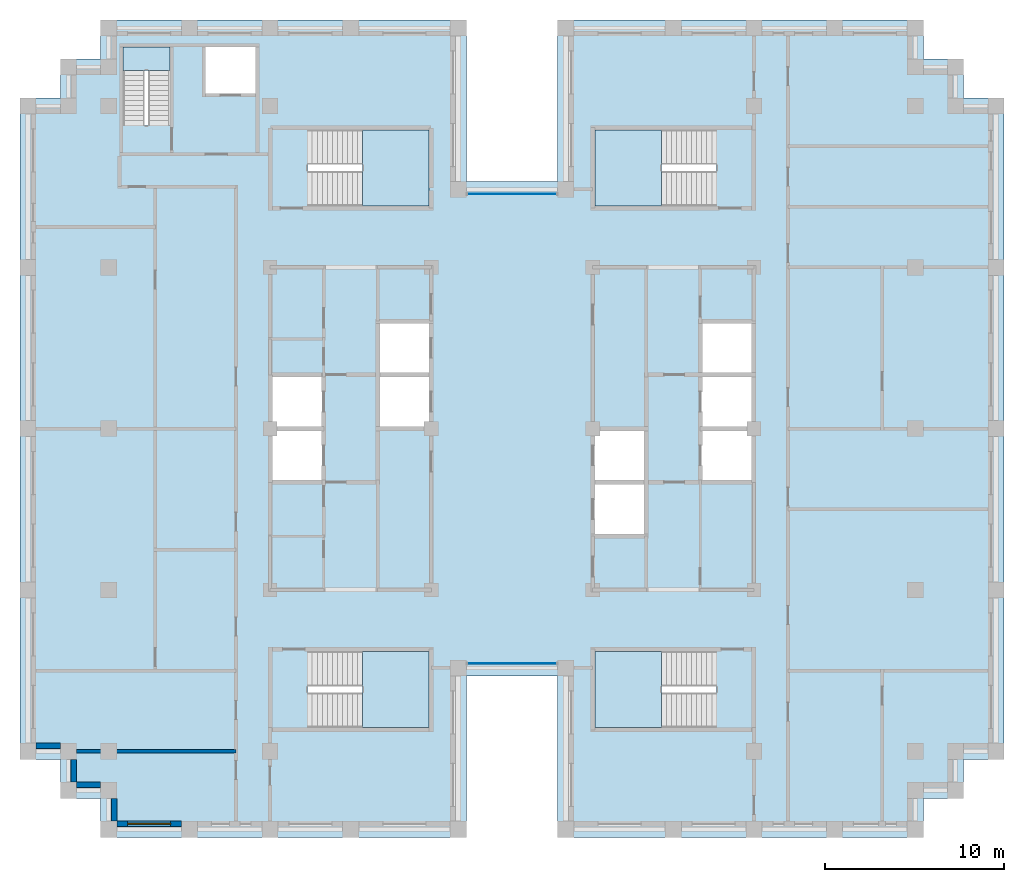
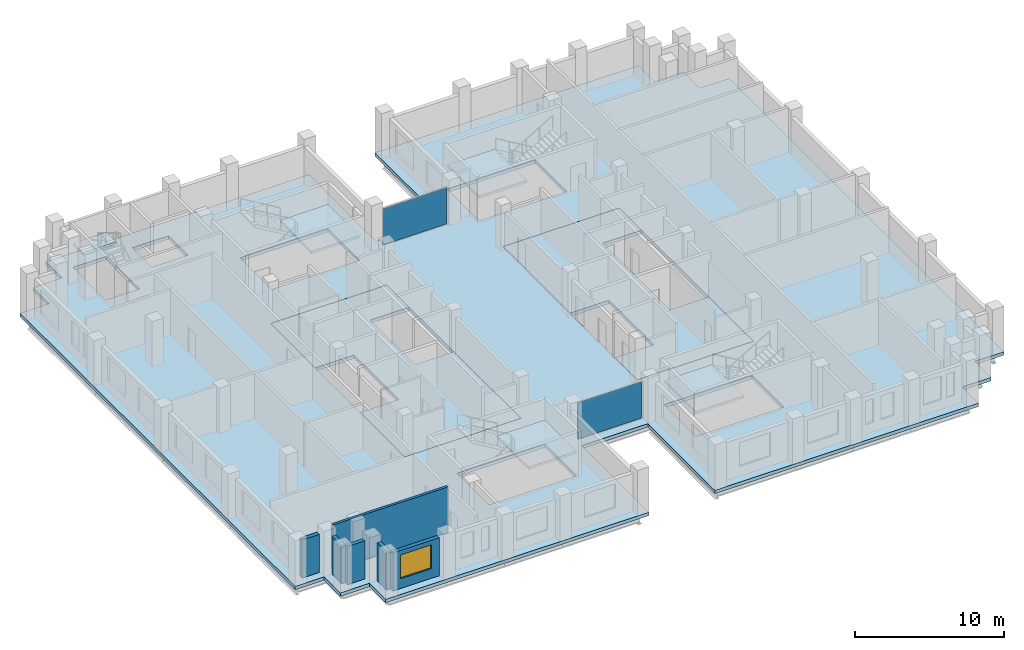
# One storey, part 5 of 13: 8 slabs, 6 walls, 2 plates, 1 window, 1 opening, 7 elements without a shape of their own.
"""IFC4 building model written with IfcOpenShell, lengths in metres."""

from ifc_helpers import new_model, si_unit, direction, frame, frame_2d, origin, origin_2d, place, context, subcontext, project, spatial, polyline, rectangle, outline, extrude, material, layer, layer_set, type_object, element, fill, aggregate, save


model = new_model("IFC4")

# Units and contexts
model_context = context("Model", 3, precision=1e-05, world=origin(), true_north=direction((0.0, 1.0)))
body_context = subcontext(model_context, "Body", "Model", "MODEL_VIEW")
ifc_project = project(units=[si_unit("LENGTHUNIT", "METRE"), si_unit("AREAUNIT", "SQUARE_METRE"), si_unit("VOLUMEUNIT", "CUBIC_METRE"), si_unit("PLANEANGLEUNIT", "RADIAN"), si_unit("MASSUNIT", "GRAM", prefix="KILO")], contexts=[model_context])

# Site, building, storey
site_placement = place(None, origin())
site = spatial("IfcSite", under=ifc_project, at=site_placement, CompositionType="ELEMENT")
building_placement = place(site_placement, origin())
building = spatial("IfcBuilding", under=site, at=building_placement, Name="Corbelhall Arena Tower", CompositionType="ELEMENT")
storey_placement = place(building_placement, frame((0.0, 0.0, 254.0)))
storey = spatial("IfcBuildingStorey", under=building, at=storey_placement, Name="L54", CompositionType="ELEMENT", Elevation=254.0)

# Curtain wall, plate
ifc_material_1 = material(Name="Aluminium black anodised", Category="aluminium")
ifc_layer_1 = layer(ifc_material_1, 0.199951171875)
ifc_layer_set_1 = layer_set([ifc_layer_1], Name="EV-CW1 Slot back wall")
curtain_wall_type = type_object("IfcCurtainWallType", Name="EV-CW1 Slot back wall", PredefinedType="NOTDEFINED", material=ifc_layer_set_1)
curtain_wall_1_placement = place(storey_placement, origin())
curtain_wall_1 = element("IfcCurtainWall", 1, at=curtain_wall_1_placement, inside=storey, type_object=curtain_wall_type, Name="Curtain wall CW1", PredefinedType="NOTDEFINED")
ifc_material_2 = material(Name="Glass dark tinted laminated", Category="glass")
ifc_layer_2 = layer(ifc_material_2, 0.028076171875)
ifc_layer_set_2 = layer_set([ifc_layer_2], Name="EV-CW1-PANEL")
plate_type = type_object("IfcPlateType", Name="EV-CW1-PANEL", PredefinedType="CURTAIN_PANEL", material=ifc_layer_set_2)
plate_1_placement = place(storey_placement, frame((0.0, -13.10009765625, 0.0751953125), z_axis=(0.0, 0.0, 1.0), x_axis=(1.0, 0.0, 0.0)))
plate_1 = element("IfcPlate", 2, at=plate_1_placement, type_object=plate_type, Name="CW1 panel 1.1", PredefinedType="CURTAIN_PANEL", context=body_context, shape_type="SweptSolid", body=[
    extrude(rectangle(XDim=4.949951171875, YDim=0.028076171875, at=origin_2d()), origin(), (0.0, 0.0, 1.0), 2.969970703125),
])
aggregate(curtain_wall_1, [plate_1])

curtain_wall_2_placement = place(storey_placement, origin())
curtain_wall_2 = element("IfcCurtainWall", 3, at=curtain_wall_2_placement, inside=storey, type_object=curtain_wall_type, Name="Curtain wall CW1", PredefinedType="NOTDEFINED")
plate_2_placement = place(storey_placement, frame((0.0, 13.10009765625, 0.0751953125), z_axis=(0.0, 0.0, 1.0), x_axis=(-1.0, 0.0, 0.0)))
plate_2 = element("IfcPlate", 4, at=plate_2_placement, type_object=plate_type, Name="CW1 panel 1.1", PredefinedType="CURTAIN_PANEL", context=body_context, shape_type="SweptSolid", body=[
    extrude(rectangle(XDim=4.949951171875, YDim=0.028076171875, at=origin_2d()), origin(), (0.0, 0.0, 1.0), 2.969970703125),
])
aggregate(curtain_wall_2, [plate_2])

# Slabs
ifc_material_3 = material(Name="Concrete C40/50", Category="concrete")
ifc_layer_3 = layer(ifc_material_3, 0.300048828125)
ifc_layer_set_3 = layer_set([ifc_layer_3], Name="IN-SL-CORE")
slab_type_1 = type_object("IfcSlabType", Name="IN-SL-CORE", PredefinedType="FLOOR", material=ifc_layer_set_3)
slab_1_placement = place(storey_placement, frame((0.0, 0.0, -0.280029296875)))
element("IfcSlab", 5, at=slab_1_placement, inside=storey, type_object=slab_type_1, Name="Core floor W", PredefinedType="FLOOR", context=body_context, shape_type="SweptSolid", body=[
    extrude(outline(polyline([(-10.5, -3.0), (-13.5, -3.0), (-13.5, -9.0), (-4.5, -9.0), (-4.5, 0.0), (-7.5, 0.0), (-7.5, 3.0), (-7.5, 6.0), (-4.5, 6.0), (-4.5, 9.0), (-13.5, 9.0), (-13.5, 3.0), (-10.5, 3.0), (-10.5, 0.0), (-10.5, -3.0)])), origin(), (0.0, 0.0, 1.0), 0.280029296875),
])
slab_2_placement = place(storey_placement, frame((0.0, 0.0, -0.280029296875)))
element("IfcSlab", 6, at=slab_2_placement, inside=storey, type_object=slab_type_1, Name="Core floor E", PredefinedType="FLOOR", context=body_context, shape_type="SweptSolid", body=[
    extrude(outline(polyline([(13.5, -3.0), (10.5, -3.0), (10.5, 0.0), (10.5, 3.0), (10.5, 6.0), (13.5, 6.0), (13.5, 9.0), (4.5, 9.0), (4.5, 0.0), (7.5, 0.0), (7.5, -3.0), (7.5, -6.0), (4.5, -6.0), (4.5, -9.0), (13.5, -9.0), (13.5, -3.0)])), origin(), (0.0, 0.0, 1.0), 0.280029296875),
])

# Stair, slab
stair_type = type_object("IfcStairType", Name="IN-ST-TOWER", PredefinedType="HALF_TURN_STAIR", material=ifc_material_3)
stair_1_placement = place(storey_placement, origin())
stair_1 = element("IfcStair", 7, at=stair_1_placement, inside=storey, type_object=stair_type, Name="L54 Exit stair ST1", PredefinedType="HALF_TURN_STAIR")
ifc_layer_4 = layer(ifc_material_3, 0.199951171875)
ifc_layer_set_4 = layer_set([ifc_layer_4], Name="IN-SL-LANDING")
slab_type_2 = type_object("IfcSlabType", Name="IN-SL-LANDING", PredefinedType="LANDING", material=ifc_layer_set_4)
slab_3_placement = place(storey_placement, frame((0.0, 0.0, 1.800048828125)))
slab_3 = element("IfcSlab", 8, at=slab_3_placement, type_object=slab_type_2, Name="ST1 landing 1", PredefinedType="LANDING", context=body_context, shape_type="SweptSolid", body=[
    extrude(outline(polyline([(-8.344970703125, 12.425048828125), (-4.625, 12.425048828125), (-4.625, 16.675048828125), (-8.344970703125, 16.675048828125), (-8.344970703125, 12.425048828125)])), origin(), (0.0, 0.0, 1.0), 0.199951171875),
])
aggregate(stair_1, [slab_3])

stair_2_placement = place(storey_placement, origin())
stair_2 = element("IfcStair", 9, at=stair_2_placement, inside=storey, type_object=stair_type, Name="L54 Exit stair ST2", PredefinedType="HALF_TURN_STAIR")
slab_4_placement = place(storey_placement, frame((0.0, 0.0, 1.800048828125)))
slab_4 = element("IfcSlab", 10, at=slab_4_placement, type_object=slab_type_2, Name="ST2 landing 1", PredefinedType="LANDING", context=body_context, shape_type="SweptSolid", body=[
    extrude(outline(polyline([(-8.344970703125, -16.675048828125), (-4.625, -16.675048828125), (-4.625, -12.425048828125), (-8.344970703125, -12.425048828125), (-8.344970703125, -16.675048828125)])), origin(), (0.0, 0.0, 1.0), 0.199951171875),
])
aggregate(stair_2, [slab_4])

stair_3_placement = place(storey_placement, origin())
stair_3 = element("IfcStair", 11, at=stair_3_placement, inside=storey, type_object=stair_type, Name="L54 Exit stair ST3", PredefinedType="HALF_TURN_STAIR")
slab_5_placement = place(storey_placement, frame((0.0, 0.0, 1.800048828125)))
slab_5 = element("IfcSlab", 12, at=slab_5_placement, type_object=slab_type_2, Name="ST3 landing 1", PredefinedType="LANDING", context=body_context, shape_type="SweptSolid", body=[
    extrude(outline(polyline([(8.344970703125, 16.675048828125), (4.625, 16.675048828125), (4.625, 12.425048828125), (8.344970703125, 12.425048828125), (8.344970703125, 16.675048828125)])), origin(), (0.0, 0.0, 1.0), 0.199951171875),
])
aggregate(stair_3, [slab_5])

stair_4_placement = place(storey_placement, origin())
stair_4 = element("IfcStair", 13, at=stair_4_placement, inside=storey, type_object=stair_type, Name="L54 Exit stair ST4", PredefinedType="HALF_TURN_STAIR")
slab_6_placement = place(storey_placement, frame((0.0, 0.0, 1.800048828125)))
slab_6 = element("IfcSlab", 14, at=slab_6_placement, type_object=slab_type_2, Name="ST4 landing 1", PredefinedType="LANDING", context=body_context, shape_type="SweptSolid", body=[
    extrude(outline(polyline([(8.344970703125, -12.425048828125), (4.625, -12.425048828125), (4.625, -16.675048828125), (8.344970703125, -16.675048828125), (8.344970703125, -12.425048828125)])), origin(), (0.0, 0.0, 1.0), 0.199951171875),
])
aggregate(stair_4, [slab_6])

stair_5_placement = place(storey_placement, origin())
stair_5 = element("IfcStair", 15, at=stair_5_placement, inside=storey, type_object=stair_type, Name="L54 Exit stair ST5", PredefinedType="HALF_TURN_STAIR")
slab_7_placement = place(storey_placement, frame((0.0, 0.0, 1.800048828125)))
slab_7 = element("IfcSlab", 16, at=slab_7_placement, type_object=slab_type_2, Name="ST5 landing 1", PredefinedType="LANDING", context=body_context, shape_type="SweptSolid", body=[
    extrude(outline(polyline([(-19.094970703125, 19.97998046875), (-19.094970703125, 21.300048828125), (-21.695068359375, 21.300048828125), (-21.695068359375, 19.97998046875), (-19.094970703125, 19.97998046875)])), origin(), (0.0, 0.0, 1.0), 0.199951171875),
])
aggregate(stair_5, [slab_7])

# Slab
ifc_layer_5 = layer(ifc_material_3, 0.280029296875)
ifc_layer_set_5 = layer_set([ifc_layer_5], Name="ST-SLAB-FLOOR-280")
slab_type_3 = type_object("IfcSlabType", Name="ST-SLAB-FLOOR-280", PredefinedType="FLOOR", material=ifc_layer_set_5)
slab_8_placement = place(storey_placement, frame((0.0, 0.0, -0.280029296875)))
element("IfcSlab", 17, at=slab_8_placement, inside=storey, type_object=slab_type_3, Name="Floor slab L54 1", PredefinedType="FLOOR", context=body_context, shape_type="SweptSolid", body=[
    extrude(outline(polyline([(22.949951171875, 22.800048828125), (2.550048828125, 22.800048828125), (2.550048828125, 13.800048828125), (-2.550048828125, 13.800048828125), (-2.550048828125, 22.800048828125), (-22.949951171875, 22.800048828125), (-22.949951171875, 20.625), (-25.199951171875, 20.625), (-25.199951171875, 18.449951171875), (-27.449951171875, 18.449951171875), (-27.449951171875, -18.449951171875), (-25.199951171875, -18.449951171875), (-25.199951171875, -20.625), (-22.949951171875, -20.625), (-22.949951171875, -22.800048828125), (-2.550048828125, -22.800048828125), (-2.550048828125, -13.800048828125), (2.550048828125, -13.800048828125), (2.550048828125, -22.800048828125), (22.949951171875, -22.800048828125), (22.949951171875, -20.625), (25.199951171875, -20.625), (25.199951171875, -18.449951171875), (27.449951171875, -18.449951171875), (27.449951171875, 18.449951171875), (25.199951171875, 18.449951171875), (25.199951171875, 20.625), (22.949951171875, 20.625), (22.949951171875, 22.800048828125)]), holes=[polyline([(-13.5, 9.0), (-13.5, -9.0), (-4.5, -9.0), (-4.5, 9.0), (-13.5, 9.0)]), polyline([(4.5, 9.0), (4.5, -9.0), (13.5, -9.0), (13.5, 9.0), (4.5, 9.0)]), polyline([(-4.625, 16.675048828125), (-11.422119140625, 16.675048828125), (-11.422119140625, 12.425048828125), (-4.625, 12.425048828125), (-4.625, 16.675048828125)]), polyline([(-4.625, -16.675048828125), (-4.625, -12.425048828125), (-11.422119140625, -12.425048828125), (-11.422119140625, -16.675048828125), (-4.625, -16.675048828125)]), polyline([(11.422119140625, 16.675048828125), (4.625, 16.675048828125), (4.625, 12.425048828125), (11.422119140625, 12.425048828125), (11.422119140625, 16.675048828125)]), polyline([(11.422119140625, -16.675048828125), (11.422119140625, -12.425048828125), (4.625, -12.425048828125), (4.625, -16.675048828125), (11.422119140625, -16.675048828125)]), polyline([(-21.695068359375, 21.300048828125), (-21.695068359375, 16.903076171875), (-19.094970703125, 16.903076171875), (-19.094970703125, 21.300048828125), (-21.695068359375, 21.300048828125)]), polyline([(-14.300048828125, 21.300048828125), (-17.10009765625, 21.300048828125), (-17.10009765625, 18.699951171875), (-14.300048828125, 18.699951171875), (-14.300048828125, 21.300048828125)])]), origin(), (0.0, 0.0, 1.0), 0.280029296875),
])

# Walls
ifc_material_4 = material(Name="Precast concrete C40/50 with granite facing", Category="masonry")
ifc_layer_6 = layer(ifc_material_4, 0.300048828125)
ifc_layer_set_6 = layer_set([ifc_layer_6], Name="EV-IW1 Infill panel 300")
wall_type_1 = type_object("IfcWallType", Name="EV-IW1 Infill panel 300", PredefinedType="SOLIDWALL", material=ifc_layer_set_6)
wall_1_placement = place(storey_placement, frame((-26.550048828125, -17.699951171875, 0.0), z_axis=(0.0, 0.0, 1.0), x_axis=(1.0, 0.0, 0.0)))
element("IfcWall", 18, at=wall_1_placement, inside=storey, type_object=wall_type_1, Name="Infill panel IW1", PredefinedType="SOLIDWALL", context=body_context, shape_type="SweptSolid", body=[
    extrude(rectangle(XDim=1.35009765625, YDim=0.300048828125, at=frame_2d((0.675048828125, 0.0))), origin(), (0.0, 0.0, 1.0), 3.1201171875),
])
wall_2_placement = place(storey_placement, frame((-24.449951171875, -18.449951171875, 0.0), z_axis=(0.0, 0.0, 1.0), x_axis=(0.0, -1.0, 0.0)))
element("IfcWall", 19, at=wall_2_placement, inside=storey, type_object=wall_type_1, Name="Infill panel IW1", PredefinedType="SOLIDWALL", context=body_context, shape_type="SweptSolid", body=[
    extrude(rectangle(XDim=1.275146484375, YDim=0.300048828125, at=frame_2d((0.6376953125, 0.0))), origin(), (0.0, 0.0, 1.0), 3.1201171875),
])
wall_3_placement = place(storey_placement, frame((-24.300048828125, -19.875, 0.0), z_axis=(0.0, 0.0, 1.0), x_axis=(1.0, 0.0, 0.0)))
element("IfcWall", 20, at=wall_3_placement, inside=storey, type_object=wall_type_1, Name="Infill panel IW1", PredefinedType="SOLIDWALL", context=body_context, shape_type="SweptSolid", body=[
    extrude(rectangle(XDim=1.35009765625, YDim=0.300048828125, at=frame_2d((0.675048828125, 0.0))), origin(), (0.0, 0.0, 1.0), 3.1201171875),
])
wall_4_placement = place(storey_placement, frame((-22.199951171875, -20.625, 0.0), z_axis=(0.0, 0.0, 1.0), x_axis=(0.0, -1.0, 0.0)))
element("IfcWall", 21, at=wall_4_placement, inside=storey, type_object=wall_type_1, Name="Infill panel IW1", PredefinedType="SOLIDWALL", context=body_context, shape_type="SweptSolid", body=[
    extrude(rectangle(XDim=1.27490234375, YDim=0.300048828125, at=frame_2d((0.637451171875, 0.0))), origin(), (0.0, 0.0, 1.0), 3.1201171875),
])

# Wall, opening, window
wall_5_placement = place(storey_placement, frame((-22.050048828125, -22.050048828125, 0.0), z_axis=(0.0, 0.0, 1.0), x_axis=(1.0, 0.0, 0.0)))
wall_5 = element("IfcWall", 22, at=wall_5_placement, inside=storey, type_object=wall_type_1, Name="Infill panel IW1", PredefinedType="SOLIDWALL", context=body_context, shape_type="SweptSolid", body=[
    extrude(rectangle(XDim=3.60009765625, YDim=0.300048828125, at=frame_2d((1.800048828125, 0.0))), origin(), (0.0, 0.0, 1.0), 3.1201171875),
])
opening_placement = place(wall_5_placement, frame((0.60009765625, 0.0, 0.800048828125)))
opening = element("IfcOpeningElement", 23, at=opening_placement, cuts=wall_5, Name="Opening WN1", PredefinedType="OPENING", context=body_context, shape_type="SweptSolid", body=[
    extrude(rectangle(XDim=2.39990234375, YDim=1.949951171875, at=frame_2d((1.199951171875, 0.97509765625))), frame((0.0, 0.14990234375, 0.0), z_axis=(0.0, -1.0, 0.0), x_axis=(1.0, 0.0, 0.0)), (0.0, 0.0, 1.0), 0.300048828125),
])
window_type = type_object("IfcWindowType", Name="EV-WN1 Office window", PartitioningType="SINGLE_PANEL", PredefinedType="WINDOW", material=ifc_material_1)
window_placement = place(opening_placement, origin())
window = element("IfcWindow", 24, at=window_placement, inside=storey, type_object=window_type, Name="Window WN1", OverallHeight=1.949951171875, OverallWidth=2.39990234375, PartitioningType="SINGLE_PANEL", PredefinedType="WINDOW", context=body_context, shape_type="SweptSolid", body=[
    extrude(rectangle(XDim=2.39990234375, YDim=1.949951171875, at=frame_2d((1.199951171875, 0.97509765625))), frame((0.0, 0.030029296875, 0.0), z_axis=(0.0, -1.0, 0.0), x_axis=(1.0, 0.0, 0.0)), (0.0, 0.0, 1.0), 0.06005859375),
])
fill(opening, window)

# Wall
ifc_material_5 = material(Name="Gypsum board on steel stud, acoustic", Category="steel")
ifc_layer_7 = layer(ifc_material_5, 0.199951171875)
ifc_layer_set_7 = layer_set([ifc_layer_7], Name="IN-W-DM200")
wall_type_2 = type_object("IfcWallType", Name="IN-W-DM200", PredefinedType="PARTITIONING", material=ifc_layer_set_7)
wall_6_placement = place(storey_placement, frame((-24.300048828125, -18.0, 0.0), z_axis=(0.0, 0.0, 1.0), x_axis=(1.0, 0.0, 0.0)))
element("IfcWall", 25, at=wall_6_placement, inside=storey, type_object=wall_type_2, Name="Partition 003", PredefinedType="PARTITIONING", context=body_context, shape_type="SweptSolid", body=[
    extrude(rectangle(XDim=8.900146484375, YDim=0.199951171875, at=frame_2d((4.4501953125, 0.0))), origin(), (0.0, 0.0, 1.0), 3.719970703125),
])

save(model, "model.ifc")
